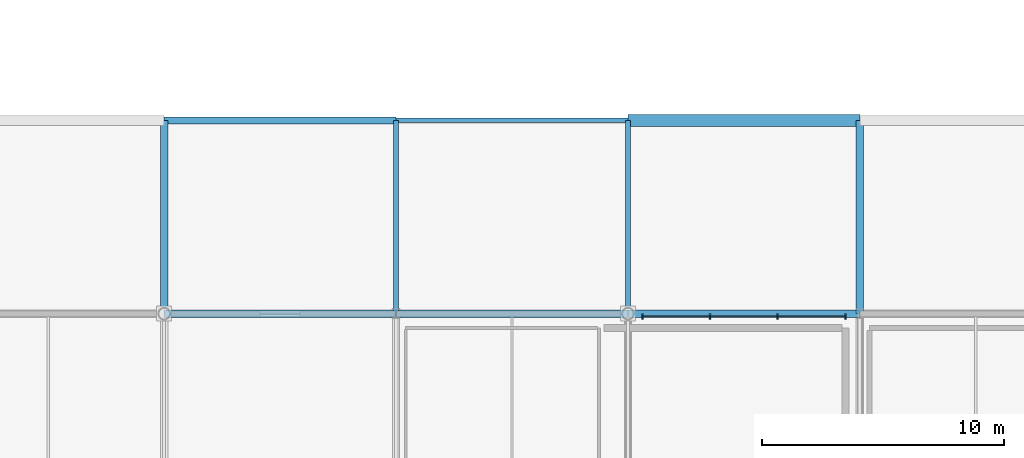
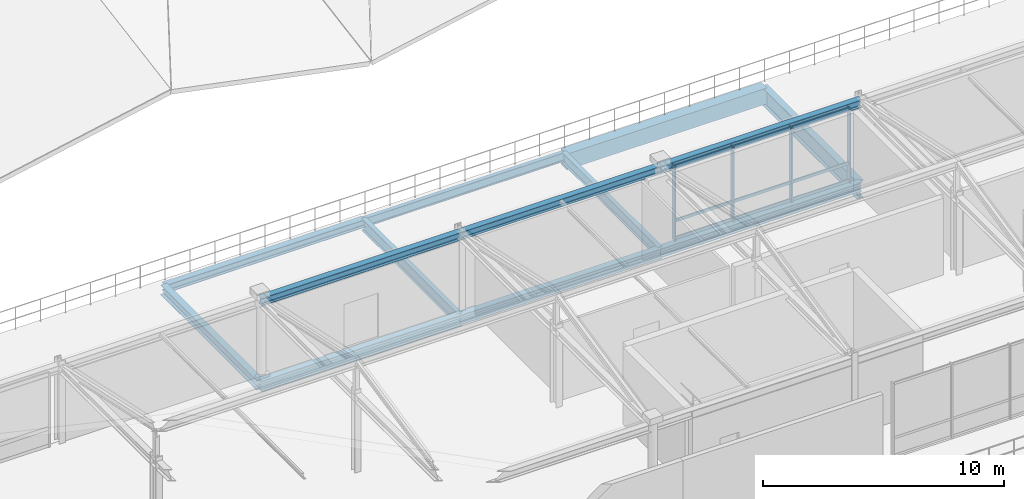
# One storey, part 9 of 26: 13 beams, 7 members, 1 element without a shape of its own.
"""IFC4 building model written with IfcOpenShell, lengths in metres."""

from ifc_helpers import new_model, si_unit, direction, frame, origin, origin_2d, place, context, subcontext, project, spatial, rectangle, i_section, extrude, material, material_profile, profile_set, type_object, element, aggregate, save


model = new_model("IFC4")

# Units and contexts
model_context = context("Model", 3, precision=1e-05, world=origin(), true_north=direction((0.0, 1.0)))
body_context = subcontext(model_context, "Body", "Model", "MODEL_VIEW")
ifc_project = project(units=[si_unit("LENGTHUNIT", "METRE"), si_unit("AREAUNIT", "SQUARE_METRE"), si_unit("VOLUMEUNIT", "CUBIC_METRE"), si_unit("PLANEANGLEUNIT", "RADIAN"), si_unit("MASSUNIT", "GRAM", prefix="KILO")], contexts=[model_context])

# Site, building, storey
site_placement = place(None, origin())
site = spatial("IfcSite", under=ifc_project, at=site_placement, CompositionType="ELEMENT")
building_placement = place(site_placement, origin())
building = spatial("IfcBuilding", under=site, at=building_placement, Name="Danafjord Basin Convention Centre", CompositionType="ELEMENT")
storey_placement = place(building_placement, frame((0.0, 0.0, 29.39990234375)))
storey = spatial("IfcBuildingStorey", under=building, at=storey_placement, Name="RF", CompositionType="ELEMENT", Elevation=29.39990234375)

# Beams
ifc_material_1 = material(Name="Steel S355", Category="steel")
ifc_material_profile_1 = material_profile(ifc_material_1, i_section(OverallWidth=0.300048828125, OverallDepth=0.389892578125, WebThickness=0.010986328125, FlangeThickness=0.01904296875, FilletRadius=0.027099609375, at=origin_2d()), Name="HEA 400")
ifc_profile_set_1 = profile_set([ifc_material_profile_1], Name="Steel S355")
beam_type_1 = type_object("IfcBeamType", Name="BEAM-BM-HEA400", PredefinedType="BEAM", material=ifc_profile_set_1)
for number, where, z_axis, x_axis, name in (
    (1, (38.39990234375, 32.0, 3.760009765625), (1.0, 0.0, 0.0), (0.0, 1.0, 0.0), "Observatory north eave girder"),
    (2, (48.0, 32.0, 3.760009765625), (1.0, 0.0, 0.0), (0.0, 1.0, 0.0), "Observatory north eave girder"),
):
    element("IfcBeam", number, at=place(storey_placement, frame(where, z_axis=z_axis, x_axis=x_axis)), inside=storey, type_object=beam_type_1, Name=name, PredefinedType="BEAM", context=body_context, shape_type="SweptSolid", body=[
        extrude(i_section(OverallWidth=0.300048828125, OverallDepth=0.389892578125, WebThickness=0.010986328125, FlangeThickness=0.01904296875, FilletRadius=0.027099609375, at=origin_2d()), origin(), (0.0, 0.0, 1.0), 9.60009765625),
    ])
beam_1_placement = place(storey_placement, frame((57.60009765625, 32.0, 3.760009765625), z_axis=(1.0, 0.0, 0.0), x_axis=(0.0, 1.0, 0.0)))
element("IfcBeam", 3, at=beam_1_placement, inside=storey, type_object=beam_type_1, Name="Observatory north eave girder", PredefinedType="BEAM", context=body_context, shape_type="SweptSolid", body=[
    extrude(i_section(OverallWidth=0.300048828125, OverallDepth=0.389892578125, WebThickness=0.010986328125, FlangeThickness=0.01904296875, FilletRadius=0.027099609375, at=origin_2d()), origin(), (0.0, 0.0, 1.0), 9.599853515625),
])
ifc_material_profile_2 = material_profile(ifc_material_1, i_section(OverallWidth=0.300048828125, OverallDepth=0.449951171875, WebThickness=0.013916015625, FlangeThickness=0.02587890625, FilletRadius=0.027099609375, at=origin_2d()), Name="HEB 450")
ifc_profile_set_2 = profile_set([ifc_material_profile_2], Name="Steel S355")
beam_type_2 = type_object("IfcBeamType", Name="BEAM-BM-HEB450", PredefinedType="BEAM", material=ifc_profile_set_2)
beam_2_placement = place(storey_placement, frame((57.60009765625, 32.0, -0.46484375), z_axis=(1.0, 0.0, 0.0), x_axis=(0.0, 1.0, 0.0)))
element("IfcBeam", 4, at=beam_2_placement, inside=storey, type_object=beam_type_2, Name="RF girder BM-HEB450", PredefinedType="BEAM", context=body_context, shape_type="SweptSolid", body=[
    extrude(i_section(OverallWidth=0.300048828125, OverallDepth=0.449951171875, WebThickness=0.013916015625, FlangeThickness=0.02587890625, FilletRadius=0.027099609375, at=origin_2d()), origin(), (0.0, 0.0, 1.0), 9.599853515625),
])
ifc_material_profile_3 = material_profile(ifc_material_1, i_section(OverallWidth=0.300048828125, OverallDepth=0.5, WebThickness=0.014404296875, FlangeThickness=0.028076171875, FilletRadius=0.027099609375, at=origin_2d()), Name="HEB 500")
ifc_profile_set_3 = profile_set([ifc_material_profile_3], Name="Steel S355")
beam_type_3 = type_object("IfcBeamType", Name="BEAM-BM-HEB500", PredefinedType="BEAM", material=ifc_profile_set_3)
beam_3_placement = place(storey_placement, frame((48.0, 32.0, -0.489990234375), z_axis=(1.0, 0.0, 0.0), x_axis=(0.0, 1.0, 0.0)))
element("IfcBeam", 5, at=beam_3_placement, inside=storey, type_object=beam_type_3, Name="RF girder BM-HEB500", PredefinedType="BEAM", context=body_context, shape_type="SweptSolid", body=[
    extrude(i_section(OverallWidth=0.300048828125, OverallDepth=0.5, WebThickness=0.014404296875, FlangeThickness=0.028076171875, FilletRadius=0.027099609375, at=origin_2d()), origin(), (0.0, 0.0, 1.0), 9.60009765625),
])
beam_4_placement = place(storey_placement, frame((38.39990234375, 32.0, -0.489990234375), z_axis=(0.0, 1.0, 0.0), x_axis=(-1.0, 0.0, 0.0)))
element("IfcBeam", 6, at=beam_4_placement, inside=storey, type_object=beam_type_3, Name="RF transverse girder BM-HEB500", PredefinedType="BEAM", context=body_context, shape_type="SweptSolid", body=[
    extrude(i_section(OverallWidth=0.300048828125, OverallDepth=0.5, WebThickness=0.014404296875, FlangeThickness=0.028076171875, FilletRadius=0.027099609375, at=origin_2d()), origin(), (0.0, 0.0, 1.0), 8.0),
])
ifc_material_profile_4 = material_profile(ifc_material_1, i_section(OverallWidth=0.300048828125, OverallDepth=0.550048828125, WebThickness=0.014892578125, FlangeThickness=0.029052734375, FilletRadius=0.027099609375, at=origin_2d()), Name="HEB 550")
ifc_profile_set_4 = profile_set([ifc_material_profile_4], Name="Steel S355")
beam_type_4 = type_object("IfcBeamType", Name="BEAM-BM-HEB550", PredefinedType="BEAM", material=ifc_profile_set_4)
beam_5_placement = place(storey_placement, frame((38.39990234375, 32.0, -0.514892578125), z_axis=(1.0, 0.0, 0.0), x_axis=(0.0, 1.0, 0.0)))
element("IfcBeam", 7, at=beam_5_placement, inside=storey, type_object=beam_type_4, Name="RF girder BM-HEB550", PredefinedType="BEAM", context=body_context, shape_type="SweptSolid", body=[
    extrude(i_section(OverallWidth=0.300048828125, OverallDepth=0.550048828125, WebThickness=0.014892578125, FlangeThickness=0.029052734375, FilletRadius=0.027099609375, at=origin_2d()), origin(), (0.0, 0.0, 1.0), 9.60009765625),
])
ifc_material_profile_5 = material_profile(ifc_material_1, i_section(OverallWidth=0.300048828125, OverallDepth=0.89990234375, WebThickness=0.0185546875, FlangeThickness=0.034912109375, FilletRadius=0.030029296875, at=origin_2d()), Name="HEB 900")
ifc_profile_set_5 = profile_set([ifc_material_profile_5], Name="Steel S355")
beam_type_5 = type_object("IfcBeamType", Name="BEAM-BM-HEB900", PredefinedType="BEAM", material=ifc_profile_set_5)
beam_6_placement = place(storey_placement, frame((67.199951171875, 32.0, -0.68994140625), z_axis=(0.0, 1.0, 0.0), x_axis=(-1.0, 0.0, 0.0)))
element("IfcBeam", 8, at=beam_6_placement, inside=storey, type_object=beam_type_5, Name="RF transverse girder BM-HEB900", PredefinedType="BEAM", context=body_context, shape_type="SweptSolid", body=[
    extrude(i_section(OverallWidth=0.300048828125, OverallDepth=0.89990234375, WebThickness=0.0185546875, FlangeThickness=0.034912109375, FilletRadius=0.030029296875, at=origin_2d()), origin(), (0.0, 0.0, 1.0), 8.0),
])
ifc_material_profile_6 = material_profile(ifc_material_1, i_section(OverallWidth=0.2099609375, OverallDepth=0.550048828125, WebThickness=0.010986328125, FlangeThickness=0.01708984375, FilletRadius=0.02392578125, at=origin_2d()), Name="IPE 550")
ifc_profile_set_6 = profile_set([ifc_material_profile_6], Name="Steel S355")
beam_type_6 = type_object("IfcBeamType", Name="BEAM-BM-IPE550", PredefinedType="BEAM", material=ifc_profile_set_6)
beam_7_placement = place(storey_placement, frame((57.60009765625, 32.0, -0.514892578125), z_axis=(0.0, 1.0, 0.0), x_axis=(-1.0, 0.0, 0.0)))
element("IfcBeam", 9, at=beam_7_placement, inside=storey, type_object=beam_type_6, Name="RF transverse girder BM-IPE550", PredefinedType="BEAM", context=body_context, shape_type="SweptSolid", body=[
    extrude(i_section(OverallWidth=0.2099609375, OverallDepth=0.550048828125, WebThickness=0.010986328125, FlangeThickness=0.01708984375, FilletRadius=0.02392578125, at=origin_2d()), origin(), (0.0, 0.0, 1.0), 8.0),
])
ifc_material_profile_7 = material_profile(ifc_material_1, i_section(OverallWidth=0.219970703125, OverallDepth=0.60009765625, WebThickness=0.011962890625, FlangeThickness=0.01904296875, FilletRadius=0.02392578125, at=origin_2d()), Name="IPE 600")
ifc_profile_set_7 = profile_set([ifc_material_profile_7], Name="Steel S355")
beam_type_7 = type_object("IfcBeamType", Name="BEAM-BM-IPE600", PredefinedType="BEAM", material=ifc_profile_set_7)
beam_8_placement = place(storey_placement, frame((48.0, 32.0, -0.539794921875), z_axis=(0.0, 1.0, 0.0), x_axis=(-1.0, 0.0, 0.0)))
element("IfcBeam", 10, at=beam_8_placement, inside=storey, type_object=beam_type_7, Name="RF transverse girder BM-IPE600", PredefinedType="BEAM", context=body_context, shape_type="SweptSolid", body=[
    extrude(i_section(OverallWidth=0.219970703125, OverallDepth=0.60009765625, WebThickness=0.011962890625, FlangeThickness=0.01904296875, FilletRadius=0.02392578125, at=origin_2d()), origin(), (0.0, 0.0, 1.0), 8.0),
])
ifc_material_profile_8 = material_profile(ifc_material_1, i_section(OverallWidth=0.300048828125, OverallDepth=0.39990234375, WebThickness=0.013427734375, FlangeThickness=0.02392578125, FilletRadius=0.027099609375, at=origin_2d()), Name="HEB 400")
ifc_profile_set_8 = profile_set([ifc_material_profile_8], Name="Steel S355")
beam_type_8 = type_object("IfcBeamType", Name="BEAM-SP-HEB400", PredefinedType="SPANDREL", material=ifc_profile_set_8)
beam_9_placement = place(storey_placement, frame((38.39990234375, 40.0, -0.43994140625), z_axis=(1.0, 0.0, 0.0), x_axis=(0.0, 1.0, 0.0)))
element("IfcBeam", 11, at=beam_9_placement, inside=storey, type_object=beam_type_8, Name="RF girder SP-HEB400", PredefinedType="SPANDREL", context=body_context, shape_type="SweptSolid", body=[
    extrude(i_section(OverallWidth=0.300048828125, OverallDepth=0.39990234375, WebThickness=0.013427734375, FlangeThickness=0.02392578125, FilletRadius=0.027099609375, at=origin_2d()), origin(), (0.0, 0.0, 1.0), 9.60009765625),
])
ifc_material_profile_9 = material_profile(ifc_material_1, i_section(OverallWidth=0.18994140625, OverallDepth=0.449951171875, WebThickness=0.009521484375, FlangeThickness=0.0146484375, FilletRadius=0.02099609375, at=origin_2d()), Name="IPE 450")
ifc_profile_set_9 = profile_set([ifc_material_profile_9], Name="Steel S355")
beam_type_9 = type_object("IfcBeamType", Name="BEAM-SP-IPE450", PredefinedType="SPANDREL", material=ifc_profile_set_9)
beam_10_placement = place(storey_placement, frame((48.0, 40.0, -0.46484375), z_axis=(1.0, 0.0, 0.0), x_axis=(0.0, 1.0, 0.0)))
element("IfcBeam", 12, at=beam_10_placement, inside=storey, type_object=beam_type_9, Name="RF girder SP-IPE450", PredefinedType="SPANDREL", context=body_context, shape_type="SweptSolid", body=[
    extrude(i_section(OverallWidth=0.18994140625, OverallDepth=0.449951171875, WebThickness=0.009521484375, FlangeThickness=0.0146484375, FilletRadius=0.02099609375, at=origin_2d()), origin(), (0.0, 0.0, 1.0), 9.60009765625),
])
ifc_material_2 = material(Name="Precast concrete C45/55", Category="concrete")
ifc_material_profile_10 = material_profile(ifc_material_2, rectangle(XDim=0.5, YDim=0.800048828125, at=origin_2d()), Name="PCB 500x800")
ifc_profile_set_10 = profile_set([ifc_material_profile_10], Name="Precast concrete C45/55")
beam_type_10 = type_object("IfcBeamType", Name="BEAM-SP-PCB800", PredefinedType="SPANDREL", material=ifc_profile_set_10)
beam_11_placement = place(storey_placement, frame((57.60009765625, 40.0, -0.639892578125), z_axis=(1.0, 0.0, 0.0), x_axis=(0.0, 1.0, 0.0)))
element("IfcBeam", 13, at=beam_11_placement, inside=storey, type_object=beam_type_10, Name="RF girder SP-PCB800", PredefinedType="SPANDREL", context=body_context, shape_type="SweptSolid", body=[
    extrude(rectangle(XDim=0.5, YDim=0.800048828125, at=origin_2d()), origin(), (0.0, 0.0, 1.0), 9.599853515625),
])

# Curtain wall, members
ifc_material_3 = material(Name="Anodised aluminium and triple glazing", Category="aluminium")
curtain_wall_type = type_object("IfcCurtainWallType", Name="CW-CW-TERR", PredefinedType="NOTDEFINED", material=ifc_material_3)
curtain_wall_placement = place(storey_placement, origin())
curtain_wall = element("IfcCurtainWall", 14, at=curtain_wall_placement, inside=storey, type_object=curtain_wall_type, Name="RF CW-TERR unitised curtain wall bay 112", PredefinedType="NOTDEFINED")
ifc_material_4 = material(Name="Anodised aluminium EN AW-6060", Category="aluminium")
ifc_material_profile_11 = material_profile(ifc_material_4, rectangle(XDim=0.06494140625, YDim=0.219970703125, at=origin_2d()), Name="MULL 65x220")
ifc_profile_set_11 = profile_set([ifc_material_profile_11], Name="Anodised aluminium EN AW-6060")
member_type_1 = type_object("IfcMemberType", Name="MEM-ML-220", PredefinedType="MULLION", material=ifc_profile_set_11)
member_1_placement = place(storey_placement, frame((66.60009765625, 31.8798828125, -0.02490234375), z_axis=(0.0, 0.0, 1.0), x_axis=(-1.0, 0.0, 0.0)))
member_1 = element("IfcMember", 15, at=member_1_placement, type_object=member_type_1, Name="CW-RF-112 mullion 1", PredefinedType="MULLION", context=body_context, shape_type="SweptSolid", body=[
    extrude(rectangle(XDim=0.06494140625, YDim=0.219970703125, at=origin_2d()), origin(), (0.0, 0.0, 1.0), 3.784912109375),
])
member_2_placement = place(storey_placement, frame((63.800048828125, 31.8798828125, -0.02490234375), z_axis=(0.0, 0.0, 1.0), x_axis=(-1.0, 0.0, 0.0)))
member_2 = element("IfcMember", 16, at=member_2_placement, type_object=member_type_1, Name="CW-RF-112 mullion 2", PredefinedType="MULLION", context=body_context, shape_type="SweptSolid", body=[
    extrude(rectangle(XDim=0.06494140625, YDim=0.219970703125, at=origin_2d()), origin(), (0.0, 0.0, 1.0), 3.784912109375),
])
member_3_placement = place(storey_placement, frame((61.0, 31.8798828125, -0.02490234375), z_axis=(0.0, 0.0, 1.0), x_axis=(-1.0, 0.0, 0.0)))
member_3 = element("IfcMember", 17, at=member_3_placement, type_object=member_type_1, Name="CW-RF-112 mullion 3", PredefinedType="MULLION", context=body_context, shape_type="SweptSolid", body=[
    extrude(rectangle(XDim=0.06494140625, YDim=0.219970703125, at=origin_2d()), origin(), (0.0, 0.0, 1.0), 3.784912109375),
])
member_4_placement = place(storey_placement, frame((58.199951171875, 31.8798828125, -0.02490234375), z_axis=(0.0, 0.0, 1.0), x_axis=(-1.0, 0.0, 0.0)))
member_4 = element("IfcMember", 18, at=member_4_placement, type_object=member_type_1, Name="CW-RF-112 mullion 4", PredefinedType="MULLION", context=body_context, shape_type="SweptSolid", body=[
    extrude(rectangle(XDim=0.06494140625, YDim=0.219970703125, at=origin_2d()), origin(), (0.0, 0.0, 1.0), 3.784912109375),
])
ifc_material_profile_12 = material_profile(ifc_material_4, rectangle(XDim=0.06005859375, YDim=0.14990234375, at=origin_2d()), Name="TRAN 60x150")
ifc_profile_set_12 = profile_set([ifc_material_profile_12], Name="Anodised aluminium EN AW-6060")
member_type_2 = type_object("IfcMemberType", Name="MEM-TR-150", PredefinedType="USERDEFINED", material=ifc_profile_set_12)
member_5_placement = place(storey_placement, frame((66.60009765625, 31.8798828125, 0.06005859375), z_axis=(-1.0, 0.0, 0.0), x_axis=(0.0, -1.0, 0.0)))
member_5 = element("IfcMember", 19, at=member_5_placement, type_object=member_type_2, Name="CW-RF-112 transom 1", ObjectType="TRANSOM", PredefinedType="USERDEFINED", context=body_context, shape_type="SweptSolid", body=[
    extrude(rectangle(XDim=0.06005859375, YDim=0.14990234375, at=origin_2d()), origin(), (0.0, 0.0, 1.0), 8.400146484375),
])
member_6_placement = place(storey_placement, frame((66.60009765625, 31.8798828125, 0.9501953125), z_axis=(-1.0, 0.0, 0.0), x_axis=(0.0, -1.0, 0.0)))
member_6 = element("IfcMember", 20, at=member_6_placement, type_object=member_type_2, Name="CW-RF-112 transom 2", ObjectType="TRANSOM", PredefinedType="USERDEFINED", context=body_context, shape_type="SweptSolid", body=[
    extrude(rectangle(XDim=0.06005859375, YDim=0.14990234375, at=origin_2d()), origin(), (0.0, 0.0, 1.0), 8.400146484375),
])
member_7_placement = place(storey_placement, frame((66.60009765625, 31.8798828125, 3.690185546875), z_axis=(-1.0, 0.0, 0.0), x_axis=(0.0, -1.0, 0.0)))
member_7 = element("IfcMember", 21, at=member_7_placement, type_object=member_type_2, Name="CW-RF-112 transom 3", ObjectType="TRANSOM", PredefinedType="USERDEFINED", context=body_context, shape_type="SweptSolid", body=[
    extrude(rectangle(XDim=0.06005859375, YDim=0.14990234375, at=origin_2d()), origin(), (0.0, 0.0, 1.0), 8.400146484375),
])
aggregate(curtain_wall, [member_1, member_2, member_3, member_4, member_5, member_6, member_7])

save(model, "model.ifc")
